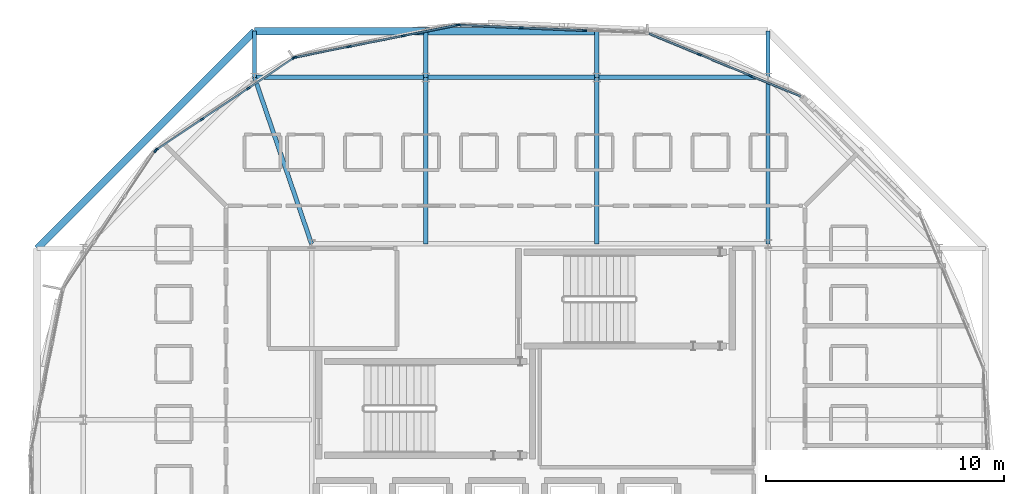
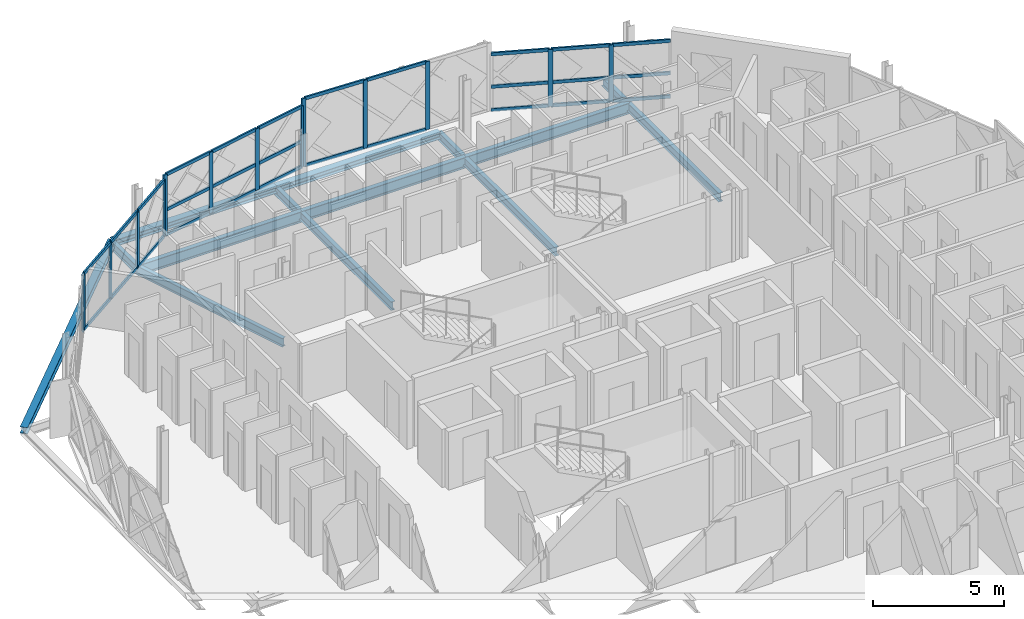
# One storey, part 9 of 24: 42 members, 14 beams, 5 elements without a shape of their own.
"""IFC4 building model written with IfcOpenShell, lengths in metres."""

from ifc_helpers import new_model, si_unit, direction, frame, origin, origin_2d, place, context, subcontext, project, spatial, rectangle, i_section, extrude, material, layer, layer_set, material_profile, profile_set, type_object, element, aggregate, save


model = new_model("IFC4")

# Units and contexts
model_context = context("Model", 3, precision=1e-05, world=origin(), true_north=direction((0.0, 1.0)))
body_context = subcontext(model_context, "Body", "Model", "MODEL_VIEW")
ifc_project = project(units=[si_unit("LENGTHUNIT", "METRE"), si_unit("AREAUNIT", "SQUARE_METRE"), si_unit("VOLUMEUNIT", "CUBIC_METRE"), si_unit("PLANEANGLEUNIT", "RADIAN"), si_unit("MASSUNIT", "GRAM", prefix="KILO")], contexts=[model_context])

# Site, building, storey
site_placement = place(None, origin())
site = spatial("IfcSite", under=ifc_project, at=site_placement, CompositionType="ELEMENT")
building_placement = place(site_placement, origin())
building = spatial("IfcBuilding", under=site, at=building_placement, Name="Zevrakil Square Congress Hotel", CompositionType="ELEMENT")
storey_placement = place(building_placement, frame((0.0, 0.0, 35.10009765625)))
storey = spatial("IfcBuildingStorey", under=building, at=storey_placement, Name="L10", CompositionType="ELEMENT", Elevation=35.10009765625)

# Beams
ifc_material_1 = material(Name="Steel S355", Category="steel")
ifc_material_profile_1 = material_profile(ifc_material_1, i_section(OverallWidth=0.199951171875, OverallDepth=0.5, WebThickness=0.01025390625, FlangeThickness=0.01611328125, FilletRadius=0.02099609375, at=origin_2d()), Name="IPE 500")
ifc_profile_set_1 = profile_set([ifc_material_profile_1], Name="Steel S355")
beam_type_1 = type_object("IfcBeamType", Name="BM-IPE500", PredefinedType="BEAM", material=ifc_profile_set_1)
for number, where, z_axis, x_axis, name in (
    (1, (156.0, 45.60009765625, -0.47998046875), (-1.0, 0.0, 0.0), (0.0, -1.0, 0.0), "L10 drum ring girder DRB-09"),
    (2, (148.800048828125, 45.60009765625, -0.47998046875), (-1.0, 0.0, 0.0), (0.0, -1.0, 0.0), "L10 drum ring girder DRB-10"),
):
    element("IfcBeam", number, at=place(storey_placement, frame(where, z_axis=z_axis, x_axis=x_axis)), inside=storey, type_object=beam_type_1, Name=name, PredefinedType="BEAM", context=body_context, shape_type="SweptSolid", body=[
        extrude(i_section(OverallWidth=0.199951171875, OverallDepth=0.5, WebThickness=0.01025390625, FlangeThickness=0.01611328125, FilletRadius=0.02099609375, at=origin_2d()), origin(), (0.0, 0.0, 1.0), 7.199951171875),
    ])
beam_1_placement = place(storey_placement, frame((141.60009765625, 45.60009765625, -0.47998046875), z_axis=(-1.0, 0.0, 0.0), x_axis=(0.0, -1.0, 0.0)))
element("IfcBeam", 3, at=beam_1_placement, inside=storey, type_object=beam_type_1, Name="L10 drum ring girder DRB-11", PredefinedType="BEAM", context=body_context, shape_type="SweptSolid", body=[
    extrude(i_section(OverallWidth=0.199951171875, OverallDepth=0.5, WebThickness=0.01025390625, FlangeThickness=0.01611328125, FilletRadius=0.02099609375, at=origin_2d()), origin(), (0.0, 0.0, 1.0), 7.2001953125),
])

# Curtain wall, members
ifc_material_2 = material(Name="Aluminium Anodised Bronze", Category="aluminium")
ifc_layer_1 = layer(ifc_material_2, 0.179931640625)
ifc_layer_set_1 = layer_set([ifc_layer_1], Name="Aluminium Anodised Bronze")
curtain_wall_type_1 = type_object("IfcCurtainWallType", Name="CW-L10-720", PredefinedType="USERDEFINED", material=ifc_layer_set_1)
curtain_wall_1_placement = place(storey_placement, origin())
curtain_wall_1 = element("IfcCurtainWall", 4, at=curtain_wall_1_placement, inside=storey, type_object=curtain_wall_type_1, Name="L10 diamond curtain wall CW-L10-0276", ObjectType="GLAZED CURTAIN WALL", PredefinedType="USERDEFINED")
ifc_material_3 = material(Name="Aluminium Anodised Bronze", Category="aluminium")
ifc_material_profile_2 = material_profile(ifc_material_3, rectangle(XDim=0.074951171875, YDim=0.14990234375, at=origin_2d()), Name="ALU 75x150")
ifc_profile_set_2 = profile_set([ifc_material_profile_2], Name="Aluminium Anodised Bronze")
member_type_1 = type_object("IfcMemberType", Name="CWM-ALU75x150", PredefinedType="USERDEFINED", material=ifc_profile_set_2)
member_1_placement = place(storey_placement, frame((157.366943359375, 44.799072265625, 0.02978515625), z_axis=(-0.923901544851, 0.382630285552, 0.0), x_axis=(-0.382630285552, -0.923901544851, 0.0)))
member_1 = element("IfcMember", 5, at=member_1_placement, type_object=member_type_1, Name="CW-118 transom 1.1", ObjectType="TRANSOM", PredefinedType="USERDEFINED", context=body_context, shape_type="SweptSolid", body=[
    extrude(rectangle(XDim=0.074951171875, YDim=0.14990234375, at=origin_2d()), origin(), (0.0, 0.0, 1.0), 2.245361328125),
])
member_2_placement = place(storey_placement, frame((157.366943359375, 44.799072265625, 1.11279296875), z_axis=(-0.923901544851, 0.382630285552, 0.0), x_axis=(-0.382630285552, -0.923901544851, 0.0)))
member_2 = element("IfcMember", 6, at=member_2_placement, type_object=member_type_1, Name="CW-118 transom 1.2", ObjectType="TRANSOM", PredefinedType="USERDEFINED", context=body_context, shape_type="SweptSolid", body=[
    extrude(rectangle(XDim=0.074951171875, YDim=0.14990234375, at=origin_2d()), origin(), (0.0, 0.0, 1.0), 2.245361328125),
])
member_3_placement = place(storey_placement, frame((157.366943359375, 44.799072265625, 2.619873046875), z_axis=(-0.923901544851, 0.382630285552, 0.0), x_axis=(-0.382630285552, -0.923901544851, 0.0)))
member_3 = element("IfcMember", 7, at=member_3_placement, type_object=member_type_1, Name="CW-118 transom 1.3", ObjectType="TRANSOM", PredefinedType="USERDEFINED", context=body_context, shape_type="SweptSolid", body=[
    extrude(rectangle(XDim=0.074951171875, YDim=0.14990234375, at=origin_2d()), origin(), (0.0, 0.0, 1.0), 2.245361328125),
])
member_4_placement = place(storey_placement, frame((155.237060546875, 45.68115234375, 0.02978515625), z_axis=(-0.923893901698, 0.382648740238, 0.0), x_axis=(-0.382648740238, -0.923893901698, 0.0)))
member_4 = element("IfcMember", 8, at=member_4_placement, type_object=member_type_1, Name="CW-118 transom 2.1", ObjectType="TRANSOM", PredefinedType="USERDEFINED", context=body_context, shape_type="SweptSolid", body=[
    extrude(rectangle(XDim=0.074951171875, YDim=0.14990234375, at=origin_2d()), origin(), (0.0, 0.0, 1.0), 2.275146484375),
])
member_5_placement = place(storey_placement, frame((155.237060546875, 45.68115234375, 1.11279296875), z_axis=(-0.923893901698, 0.382648740238, 0.0), x_axis=(-0.382648740238, -0.923893901698, 0.0)))
member_5 = element("IfcMember", 9, at=member_5_placement, type_object=member_type_1, Name="CW-118 transom 2.2", ObjectType="TRANSOM", PredefinedType="USERDEFINED", context=body_context, shape_type="SweptSolid", body=[
    extrude(rectangle(XDim=0.074951171875, YDim=0.14990234375, at=origin_2d()), origin(), (0.0, 0.0, 1.0), 2.275146484375),
])
member_6_placement = place(storey_placement, frame((155.237060546875, 45.68115234375, 2.619873046875), z_axis=(-0.923893901698, 0.382648740238, 0.0), x_axis=(-0.382648740238, -0.923893901698, 0.0)))
member_6 = element("IfcMember", 10, at=member_6_placement, type_object=member_type_1, Name="CW-118 transom 2.3", ObjectType="TRANSOM", PredefinedType="USERDEFINED", context=body_context, shape_type="SweptSolid", body=[
    extrude(rectangle(XDim=0.074951171875, YDim=0.14990234375, at=origin_2d()), origin(), (0.0, 0.0, 1.0), 2.275146484375),
])
member_7_placement = place(storey_placement, frame((153.07958984375, 46.57470703125, 0.02978515625), z_axis=(-0.923863103406, 0.382723093326, 0.0), x_axis=(-0.382723093326, -0.923863103406, 0.0)))
member_7 = element("IfcMember", 11, at=member_7_placement, type_object=member_type_1, Name="CW-118 transom 3.1", ObjectType="TRANSOM", PredefinedType="USERDEFINED", context=body_context, shape_type="SweptSolid", body=[
    extrude(rectangle(XDim=0.074951171875, YDim=0.14990234375, at=origin_2d()), origin(), (0.0, 0.0, 1.0), 2.245361328125),
])
member_8_placement = place(storey_placement, frame((153.07958984375, 46.57470703125, 1.11279296875), z_axis=(-0.923863103406, 0.382723093326, 0.0), x_axis=(-0.382723093326, -0.923863103406, 0.0)))
member_8 = element("IfcMember", 12, at=member_8_placement, type_object=member_type_1, Name="CW-118 transom 3.2", ObjectType="TRANSOM", PredefinedType="USERDEFINED", context=body_context, shape_type="SweptSolid", body=[
    extrude(rectangle(XDim=0.074951171875, YDim=0.14990234375, at=origin_2d()), origin(), (0.0, 0.0, 1.0), 2.245361328125),
])
member_9_placement = place(storey_placement, frame((153.07958984375, 46.57470703125, 2.619873046875), z_axis=(-0.923863103406, 0.382723093326, 0.0), x_axis=(-0.382723093326, -0.923863103406, 0.0)))
member_9 = element("IfcMember", 13, at=member_9_placement, type_object=member_type_1, Name="CW-118 transom 3.3", ObjectType="TRANSOM", PredefinedType="USERDEFINED", context=body_context, shape_type="SweptSolid", body=[
    extrude(rectangle(XDim=0.074951171875, YDim=0.14990234375, at=origin_2d()), origin(), (0.0, 0.0, 1.0), 2.245361328125),
])

ifc_material_4 = material(Name="Aluminium Anodised Bronze", Category="aluminium")
ifc_layer_2 = layer(ifc_material_4, 0.179931640625)
ifc_layer_set_2 = layer_set([ifc_layer_2], Name="Aluminium Anodised Bronze")
curtain_wall_type_2 = type_object("IfcCurtainWallType", Name="CW-L10-840", PredefinedType="USERDEFINED", material=ifc_layer_set_2)
curtain_wall_2_placement = place(storey_placement, origin())
curtain_wall_2 = element("IfcCurtainWall", 14, at=curtain_wall_2_placement, inside=storey, type_object=curtain_wall_type_2, Name="L10 diamond curtain wall CW-L10-0277", ObjectType="GLAZED CURTAIN WALL", PredefinedType="USERDEFINED")
member_10_placement = place(storey_placement, frame((148.254150390625, 47.5732421875, 0.02978515625), z_axis=(-0.999068306752, 0.04315690493, 0.0), x_axis=(-0.04315690493, -0.999068306752, 0.0)))
member_10 = element("IfcMember", 15, at=member_10_placement, type_object=member_type_1, Name="CW-119 transom 2.1", ObjectType="TRANSOM", PredefinedType="USERDEFINED", context=body_context, shape_type="SweptSolid", body=[
    extrude(rectangle(XDim=0.074951171875, YDim=0.14990234375, at=origin_2d()), origin(), (0.0, 0.0, 1.0), 2.60791015625),
])
member_11_placement = place(storey_placement, frame((148.254150390625, 47.5732421875, 3.135009765625), z_axis=(-0.999068306752, 0.04315690493, 0.0), x_axis=(-0.04315690493, -0.999068306752, 0.0)))
member_11 = element("IfcMember", 16, at=member_11_placement, type_object=member_type_1, Name="CW-119 transom 2.2", ObjectType="TRANSOM", PredefinedType="USERDEFINED", context=body_context, shape_type="SweptSolid", body=[
    extrude(rectangle(XDim=0.074951171875, YDim=0.14990234375, at=origin_2d()), origin(), (0.0, 0.0, 1.0), 2.60791015625),
])
member_12_placement = place(storey_placement, frame((145.588623046875, 47.688232421875, 0.02978515625), z_axis=(-0.999071284815, 0.043087908492, 0.0), x_axis=(-0.043087908492, -0.999071284815, 0.0)))
member_12 = element("IfcMember", 17, at=member_12_placement, type_object=member_type_1, Name="CW-119 transom 3.1", ObjectType="TRANSOM", PredefinedType="USERDEFINED", context=body_context, shape_type="SweptSolid", body=[
    extrude(rectangle(XDim=0.074951171875, YDim=0.14990234375, at=origin_2d()), origin(), (0.0, 0.0, 1.0), 2.578125),
])
member_13_placement = place(storey_placement, frame((145.588623046875, 47.688232421875, 3.135009765625), z_axis=(-0.999071284815, 0.043087908492, 0.0), x_axis=(-0.043087908492, -0.999071284815, 0.0)))
member_13 = element("IfcMember", 18, at=member_13_placement, type_object=member_type_1, Name="CW-119 transom 3.2", ObjectType="TRANSOM", PredefinedType="USERDEFINED", context=body_context, shape_type="SweptSolid", body=[
    extrude(rectangle(XDim=0.074951171875, YDim=0.14990234375, at=origin_2d()), origin(), (0.0, 0.0, 1.0), 2.578125),
])

curtain_wall_3_placement = place(storey_placement, origin())
curtain_wall_3 = element("IfcCurtainWall", 19, at=curtain_wall_3_placement, inside=storey, type_object=curtain_wall_type_1, Name="L10 diamond curtain wall CW-L10-0278", ObjectType="GLAZED CURTAIN WALL", PredefinedType="USERDEFINED")
member_14_placement = place(storey_placement, frame((142.89404296875, 47.790283203125, 0.02978515625), z_axis=(-0.980785085671, -0.195091300997, 0.0), x_axis=(0.195091300997, -0.980785085671, 0.0)))
member_14 = element("IfcMember", 20, at=member_14_placement, type_object=member_type_1, Name="CW-118 transom 1.1", ObjectType="TRANSOM", PredefinedType="USERDEFINED", context=body_context, shape_type="SweptSolid", body=[
    extrude(rectangle(XDim=0.074951171875, YDim=0.14990234375, at=origin_2d()), origin(), (0.0, 0.0, 1.0), 2.2451171875),
])
member_15_placement = place(storey_placement, frame((142.89404296875, 47.790283203125, 1.197021484375), z_axis=(-0.980785085671, -0.195091300997, 0.0), x_axis=(0.195091300997, -0.980785085671, 0.0)))
member_15 = element("IfcMember", 21, at=member_15_placement, type_object=member_type_1, Name="CW-118 transom 1.2", ObjectType="TRANSOM", PredefinedType="USERDEFINED", context=body_context, shape_type="SweptSolid", body=[
    extrude(rectangle(XDim=0.074951171875, YDim=0.14990234375, at=origin_2d()), origin(), (0.0, 0.0, 1.0), 2.2451171875),
])
member_16_placement = place(storey_placement, frame((142.89404296875, 47.790283203125, 2.81982421875), z_axis=(-0.980785085671, -0.195091300997, 0.0), x_axis=(0.195091300997, -0.980785085671, 0.0)))
member_16 = element("IfcMember", 22, at=member_16_placement, type_object=member_type_1, Name="CW-118 transom 1.3", ObjectType="TRANSOM", PredefinedType="USERDEFINED", context=body_context, shape_type="SweptSolid", body=[
    extrude(rectangle(XDim=0.074951171875, YDim=0.14990234375, at=origin_2d()), origin(), (0.0, 0.0, 1.0), 2.2451171875),
])
member_17_placement = place(storey_placement, frame((140.63330078125, 47.340576171875, 0.02978515625), z_axis=(-0.9807905758, -0.19506369837, 0.0), x_axis=(0.19506369837, -0.9807905758, 0.0)))
member_17 = element("IfcMember", 23, at=member_17_placement, type_object=member_type_1, Name="CW-118 transom 2.1", ObjectType="TRANSOM", PredefinedType="USERDEFINED", context=body_context, shape_type="SweptSolid", body=[
    extrude(rectangle(XDim=0.074951171875, YDim=0.14990234375, at=origin_2d()), origin(), (0.0, 0.0, 1.0), 2.275390625),
])
member_18_placement = place(storey_placement, frame((140.63330078125, 47.340576171875, 1.197021484375), z_axis=(-0.9807905758, -0.19506369837, 0.0), x_axis=(0.19506369837, -0.9807905758, 0.0)))
member_18 = element("IfcMember", 24, at=member_18_placement, type_object=member_type_1, Name="CW-118 transom 2.2", ObjectType="TRANSOM", PredefinedType="USERDEFINED", context=body_context, shape_type="SweptSolid", body=[
    extrude(rectangle(XDim=0.074951171875, YDim=0.14990234375, at=origin_2d()), origin(), (0.0, 0.0, 1.0), 2.275390625),
])
member_19_placement = place(storey_placement, frame((140.63330078125, 47.340576171875, 2.81982421875), z_axis=(-0.9807905758, -0.19506369837, 0.0), x_axis=(0.19506369837, -0.9807905758, 0.0)))
member_19 = element("IfcMember", 25, at=member_19_placement, type_object=member_type_1, Name="CW-118 transom 2.3", ObjectType="TRANSOM", PredefinedType="USERDEFINED", context=body_context, shape_type="SweptSolid", body=[
    extrude(rectangle(XDim=0.074951171875, YDim=0.14990234375, at=origin_2d()), origin(), (0.0, 0.0, 1.0), 2.275390625),
])
member_20_placement = place(storey_placement, frame((138.3427734375, 46.885009765625, 0.02978515625), z_axis=(-0.980785085671, -0.195091300997, 0.0), x_axis=(0.195091300997, -0.980785085671, 0.0)))
member_20 = element("IfcMember", 26, at=member_20_placement, type_object=member_type_1, Name="CW-118 transom 3.1", ObjectType="TRANSOM", PredefinedType="USERDEFINED", context=body_context, shape_type="SweptSolid", body=[
    extrude(rectangle(XDim=0.074951171875, YDim=0.14990234375, at=origin_2d()), origin(), (0.0, 0.0, 1.0), 2.2451171875),
])
member_21_placement = place(storey_placement, frame((138.3427734375, 46.885009765625, 1.197021484375), z_axis=(-0.980785085671, -0.195091300997, 0.0), x_axis=(0.195091300997, -0.980785085671, 0.0)))
member_21 = element("IfcMember", 27, at=member_21_placement, type_object=member_type_1, Name="CW-118 transom 3.2", ObjectType="TRANSOM", PredefinedType="USERDEFINED", context=body_context, shape_type="SweptSolid", body=[
    extrude(rectangle(XDim=0.074951171875, YDim=0.14990234375, at=origin_2d()), origin(), (0.0, 0.0, 1.0), 2.2451171875),
])
member_22_placement = place(storey_placement, frame((138.3427734375, 46.885009765625, 2.81982421875), z_axis=(-0.980785085671, -0.195091300997, 0.0), x_axis=(0.195091300997, -0.980785085671, 0.0)))
member_22 = element("IfcMember", 28, at=member_22_placement, type_object=member_type_1, Name="CW-118 transom 3.3", ObjectType="TRANSOM", PredefinedType="USERDEFINED", context=body_context, shape_type="SweptSolid", body=[
    extrude(rectangle(XDim=0.074951171875, YDim=0.14990234375, at=origin_2d()), origin(), (0.0, 0.0, 1.0), 2.2451171875),
])

curtain_wall_4_placement = place(storey_placement, origin())
curtain_wall_4 = element("IfcCurtainWall", 29, at=curtain_wall_4_placement, inside=storey, type_object=curtain_wall_type_1, Name="L10 diamond curtain wall CW-L10-0279", ObjectType="GLAZED CURTAIN WALL", PredefinedType="USERDEFINED")
member_23_placement = place(storey_placement, frame((136.031982421875, 46.40185546875, 0.02978515625), z_axis=(-0.831464280743, -0.555578212179, 0.0), x_axis=(0.555578212179, -0.831464280743, 0.0)))
member_23 = element("IfcMember", 30, at=member_23_placement, type_object=member_type_1, Name="CW-118 transom 1.1", ObjectType="TRANSOM", PredefinedType="USERDEFINED", context=body_context, shape_type="SweptSolid", body=[
    extrude(rectangle(XDim=0.074951171875, YDim=0.14990234375, at=origin_2d()), origin(), (0.0, 0.0, 1.0), 2.2451171875),
])
member_24_placement = place(storey_placement, frame((136.031982421875, 46.40185546875, 2.619873046875), z_axis=(-0.831464280743, -0.555578212179, 0.0), x_axis=(0.555578212179, -0.831464280743, 0.0)))
member_24 = element("IfcMember", 31, at=member_24_placement, type_object=member_type_1, Name="CW-118 transom 1.2", ObjectType="TRANSOM", PredefinedType="USERDEFINED", context=body_context, shape_type="SweptSolid", body=[
    extrude(rectangle(XDim=0.074951171875, YDim=0.14990234375, at=origin_2d()), origin(), (0.0, 0.0, 1.0), 2.2451171875),
])
member_25_placement = place(storey_placement, frame((134.115234375, 45.121337890625, 0.02978515625), z_axis=(-0.831455548606, -0.555591280253, 0.0), x_axis=(0.555591280253, -0.831455548606, 0.0)))
member_25 = element("IfcMember", 32, at=member_25_placement, type_object=member_type_1, Name="CW-118 transom 2.1", ObjectType="TRANSOM", PredefinedType="USERDEFINED", context=body_context, shape_type="SweptSolid", body=[
    extrude(rectangle(XDim=0.074951171875, YDim=0.14990234375, at=origin_2d()), origin(), (0.0, 0.0, 1.0), 2.275390625),
])
member_26_placement = place(storey_placement, frame((134.115234375, 45.121337890625, 2.619873046875), z_axis=(-0.831455548606, -0.555591280253, 0.0), x_axis=(0.555591280253, -0.831455548606, 0.0)))
member_26 = element("IfcMember", 33, at=member_26_placement, type_object=member_type_1, Name="CW-118 transom 2.2", ObjectType="TRANSOM", PredefinedType="USERDEFINED", context=body_context, shape_type="SweptSolid", body=[
    extrude(rectangle(XDim=0.074951171875, YDim=0.14990234375, at=origin_2d()), origin(), (0.0, 0.0, 1.0), 2.275390625),
])
member_27_placement = place(storey_placement, frame((132.173583984375, 43.82373046875, 0.02978515625), z_axis=(-0.831464280743, -0.555578212179, 0.0), x_axis=(0.555578212179, -0.831464280743, 0.0)))
member_27 = element("IfcMember", 34, at=member_27_placement, type_object=member_type_1, Name="CW-118 transom 3.1", ObjectType="TRANSOM", PredefinedType="USERDEFINED", context=body_context, shape_type="SweptSolid", body=[
    extrude(rectangle(XDim=0.074951171875, YDim=0.14990234375, at=origin_2d()), origin(), (0.0, 0.0, 1.0), 2.2451171875),
])
member_28_placement = place(storey_placement, frame((132.173583984375, 43.82373046875, 2.619873046875), z_axis=(-0.831464280743, -0.555578212179, 0.0), x_axis=(0.555578212179, -0.831464280743, 0.0)))
member_28 = element("IfcMember", 35, at=member_28_placement, type_object=member_type_1, Name="CW-118 transom 3.2", ObjectType="TRANSOM", PredefinedType="USERDEFINED", context=body_context, shape_type="SweptSolid", body=[
    extrude(rectangle(XDim=0.074951171875, YDim=0.14990234375, at=origin_2d()), origin(), (0.0, 0.0, 1.0), 2.2451171875),
])

# Member
ifc_material_5 = material(Name="Aluminium Anodised Bronze", Category="aluminium")
ifc_material_profile_3 = material_profile(ifc_material_5, rectangle(XDim=0.074951171875, YDim=0.179931640625, at=origin_2d()), Name="ALU 75x180")
ifc_profile_set_3 = profile_set([ifc_material_profile_3], Name="Aluminium Anodised Bronze")
member_type_2 = type_object("IfcMemberType", Name="CWM-ALU75x180", PredefinedType="MULLION", material=ifc_profile_set_3)
member_29_placement = place(storey_placement, frame((155.264892578125, 45.669677734375, 0.0), z_axis=(0.0, 0.0, 1.0), x_axis=(-0.382683763454, -0.92387939537, 0.0)))
member_29 = element("IfcMember", 36, at=member_29_placement, type_object=member_type_2, Name="CW-118 mullion 2", PredefinedType="MULLION", context=body_context, shape_type="SweptSolid", body=[
    extrude(rectangle(XDim=0.074951171875, YDim=0.179931640625, at=origin_2d()), origin(), (0.0, 0.0, 1.0), 2.64990234375),
])

member_30_placement = place(storey_placement, frame((153.107421875, 46.563232421875, 0.0), z_axis=(0.0, 0.0, 1.0), x_axis=(-0.382683763454, -0.92387939537, 0.0)))
member_30 = element("IfcMember", 37, at=member_30_placement, type_object=member_type_2, Name="CW-118 mullion 3", PredefinedType="MULLION", context=body_context, shape_type="SweptSolid", body=[
    extrude(rectangle(XDim=0.074951171875, YDim=0.179931640625, at=origin_2d()), origin(), (0.0, 0.0, 1.0), 2.64990234375),
])

aggregate(curtain_wall_1, [member_29, member_30, member_1, member_2, member_3, member_4, member_5, member_6, member_7, member_8, member_9])

member_31_placement = place(storey_placement, frame((148.2841796875, 47.572021484375, 0.0), z_axis=(0.0, 0.0, 1.0), x_axis=(-0.043102163504, -0.999070669923, 0.0)))
member_31 = element("IfcMember", 38, at=member_31_placement, type_object=member_type_2, Name="CW-119 mullion 2", PredefinedType="MULLION", context=body_context, shape_type="SweptSolid", body=[
    extrude(rectangle(XDim=0.074951171875, YDim=0.179931640625, at=origin_2d()), origin(), (0.0, 0.0, 1.0), 3.164794921875),
])

member_32_placement = place(storey_placement, frame((145.61865234375, 47.68701171875, 0.0), z_axis=(0.0, 0.0, 1.0), x_axis=(-0.043102163504, -0.999070669923, 0.0)))
member_32 = element("IfcMember", 39, at=member_32_placement, type_object=member_type_2, Name="CW-119 mullion 3", PredefinedType="MULLION", context=body_context, shape_type="SweptSolid", body=[
    extrude(rectangle(XDim=0.074951171875, YDim=0.179931640625, at=origin_2d()), origin(), (0.0, 0.0, 1.0), 3.164794921875),
])

member_33_placement = place(storey_placement, frame((142.98291015625, 47.80078125, 0.0), z_axis=(0.0, 0.0, 1.0), x_axis=(-0.043102163504, -0.999070669923, 0.0)))
member_33 = element("IfcMember", 40, at=member_33_placement, type_object=member_type_2, Name="CW-119 mullion 4", PredefinedType="MULLION", context=body_context, shape_type="SweptSolid", body=[
    extrude(rectangle(XDim=0.074951171875, YDim=0.179931640625, at=origin_2d()), origin(), (0.0, 0.0, 1.0), 3.164794921875),
])

aggregate(curtain_wall_2, [member_31, member_32, member_33, member_10, member_11, member_12, member_13])

member_34_placement = place(storey_placement, frame((142.923583984375, 47.796142578125, 0.0), z_axis=(0.0, 0.0, 1.0), x_axis=(0.195083900459, -0.980786557708, 0.0)))
member_34 = element("IfcMember", 41, at=member_34_placement, type_object=member_type_2, Name="CW-118 mullion 1", PredefinedType="MULLION", context=body_context, shape_type="SweptSolid", body=[
    extrude(rectangle(XDim=0.074951171875, YDim=0.179931640625, at=origin_2d()), origin(), (0.0, 0.0, 1.0), 2.849853515625),
])

member_35_placement = place(storey_placement, frame((140.66259765625, 47.346435546875, 0.0), z_axis=(0.0, 0.0, 1.0), x_axis=(0.195083900459, -0.980786557708, 0.0)))
member_35 = element("IfcMember", 42, at=member_35_placement, type_object=member_type_2, Name="CW-118 mullion 2", PredefinedType="MULLION", context=body_context, shape_type="SweptSolid", body=[
    extrude(rectangle(XDim=0.074951171875, YDim=0.179931640625, at=origin_2d()), origin(), (0.0, 0.0, 1.0), 2.849853515625),
])

member_36_placement = place(storey_placement, frame((138.372314453125, 46.890869140625, 0.0), z_axis=(0.0, 0.0, 1.0), x_axis=(0.195083900459, -0.980786557708, 0.0)))
member_36 = element("IfcMember", 43, at=member_36_placement, type_object=member_type_2, Name="CW-118 mullion 3", PredefinedType="MULLION", context=body_context, shape_type="SweptSolid", body=[
    extrude(rectangle(XDim=0.074951171875, YDim=0.179931640625, at=origin_2d()), origin(), (0.0, 0.0, 1.0), 2.849853515625),
])

member_37_placement = place(storey_placement, frame((136.111328125, 46.441162109375, 0.0), z_axis=(0.0, 0.0, 1.0), x_axis=(0.195083900459, -0.980786557708, 0.0)))
member_37 = element("IfcMember", 44, at=member_37_placement, type_object=member_type_2, Name="CW-118 mullion 4", PredefinedType="MULLION", context=body_context, shape_type="SweptSolid", body=[
    extrude(rectangle(XDim=0.074951171875, YDim=0.179931640625, at=origin_2d()), origin(), (0.0, 0.0, 1.0), 2.849853515625),
])

aggregate(curtain_wall_3, [member_34, member_35, member_36, member_37, member_14, member_15, member_16, member_17, member_18, member_19, member_20, member_21, member_22])

member_38_placement = place(storey_placement, frame((136.056884765625, 46.418701171875, 0.0), z_axis=(0.0, 0.0, 1.0), x_axis=(0.555576098128, -0.831465693332, 0.0)))
member_38 = element("IfcMember", 45, at=member_38_placement, type_object=member_type_2, Name="CW-118 mullion 1", PredefinedType="MULLION", context=body_context, shape_type="SweptSolid", body=[
    extrude(rectangle(XDim=0.074951171875, YDim=0.179931640625, at=origin_2d()), origin(), (0.0, 0.0, 1.0), 2.64990234375),
])

member_39_placement = place(storey_placement, frame((134.14013671875, 45.137939453125, 0.0), z_axis=(0.0, 0.0, 1.0), x_axis=(0.555576098128, -0.831465693332, 0.0)))
member_39 = element("IfcMember", 46, at=member_39_placement, type_object=member_type_2, Name="CW-118 mullion 2", PredefinedType="MULLION", context=body_context, shape_type="SweptSolid", body=[
    extrude(rectangle(XDim=0.074951171875, YDim=0.179931640625, at=origin_2d()), origin(), (0.0, 0.0, 1.0), 2.64990234375),
])

member_40_placement = place(storey_placement, frame((132.198486328125, 43.840576171875, 0.0), z_axis=(0.0, 0.0, 1.0), x_axis=(0.555576098128, -0.831465693332, 0.0)))
member_40 = element("IfcMember", 47, at=member_40_placement, type_object=member_type_2, Name="CW-118 mullion 3", PredefinedType="MULLION", context=body_context, shape_type="SweptSolid", body=[
    extrude(rectangle(XDim=0.074951171875, YDim=0.179931640625, at=origin_2d()), origin(), (0.0, 0.0, 1.0), 2.64990234375),
])

member_41_placement = place(storey_placement, frame((130.28173828125, 42.559814453125, 0.0), z_axis=(0.0, 0.0, 1.0), x_axis=(0.555576098128, -0.831465693332, 0.0)))
member_41 = element("IfcMember", 48, at=member_41_placement, type_object=member_type_2, Name="CW-118 mullion 4", PredefinedType="MULLION", context=body_context, shape_type="SweptSolid", body=[
    extrude(rectangle(XDim=0.074951171875, YDim=0.179931640625, at=origin_2d()), origin(), (0.0, 0.0, 1.0), 2.64990234375),
])

aggregate(curtain_wall_4, [member_38, member_39, member_40, member_41, member_23, member_24, member_25, member_26, member_27, member_28])

# Curtain wall, member
curtain_wall_5_placement = place(storey_placement, origin())
curtain_wall_5 = element("IfcCurtainWall", 49, at=curtain_wall_5_placement, inside=storey, type_object=curtain_wall_type_1, Name="L10 diamond curtain wall CW-L10-0280", ObjectType="GLAZED CURTAIN WALL", PredefinedType="USERDEFINED")
member_42_placement = place(storey_placement, frame((130.240234375, 42.51806640625, 0.0), z_axis=(0.0, 0.0, 1.0), x_axis=(0.831465693332, -0.555576098128, 0.0)))
member_42 = element("IfcMember", 50, at=member_42_placement, type_object=member_type_2, Name="CW-118 mullion 1", PredefinedType="MULLION", context=body_context, shape_type="SweptSolid", body=[
    extrude(rectangle(XDim=0.074951171875, YDim=0.179931640625, at=origin_2d()), origin(), (0.0, 0.0, 1.0), 2.64990234375),
])
aggregate(curtain_wall_5, [member_42])

# Beams
ifc_material_6 = material(Name="Steel S355", Category="steel")
ifc_material_profile_4 = material_profile(ifc_material_6, i_section(OverallWidth=0.179931640625, OverallDepth=0.39990234375, WebThickness=0.008544921875, FlangeThickness=0.013427734375, FilletRadius=0.02099609375, at=origin_2d()), Name="IPE 400")
ifc_profile_set_4 = profile_set([ifc_material_profile_4], Name="Steel S355")
beam_type_2 = type_object("IfcBeamType", Name="JST-IPE400", PredefinedType="JOIST", material=ifc_profile_set_4)
beam_2_placement = place(storey_placement, frame((156.0, 38.60009765625, -0.43017578125), z_axis=(0.0, 1.0, 0.0), x_axis=(-1.0, 0.0, 0.0)))
element("IfcBeam", 51, at=beam_2_placement, inside=storey, type_object=beam_type_2, Name="L10 drum radial floor beam DRI-09", PredefinedType="JOIST", context=body_context, shape_type="SweptSolid", body=[
    extrude(i_section(OverallWidth=0.179931640625, OverallDepth=0.39990234375, WebThickness=0.008544921875, FlangeThickness=0.013427734375, FilletRadius=0.02099609375, at=origin_2d()), origin(), (0.0, 0.0, 1.0), 7.0),
])
beam_3_placement = place(storey_placement, frame((156.0, 45.60009765625, -0.43017578125), z_axis=(0.0, 1.0, 0.0), x_axis=(-1.0, 0.0, 0.0)))
element("IfcBeam", 52, at=beam_3_placement, inside=storey, type_object=beam_type_2, Name="L10 drum radial edge cantilever beam DRO-09", PredefinedType="JOIST", context=body_context, shape_type="SweptSolid", body=[
    extrude(i_section(OverallWidth=0.179931640625, OverallDepth=0.39990234375, WebThickness=0.008544921875, FlangeThickness=0.013427734375, FilletRadius=0.02099609375, at=origin_2d()), origin(), (0.0, 0.0, 1.0), 1.94189453125),
])
beam_4_placement = place(storey_placement, frame((148.800048828125, 38.60009765625, -0.43017578125), z_axis=(0.0, 1.0, 0.0), x_axis=(-1.0, 0.0, 0.0)))
element("IfcBeam", 53, at=beam_4_placement, inside=storey, type_object=beam_type_2, Name="L10 drum radial floor beam DRI-10", PredefinedType="JOIST", context=body_context, shape_type="SweptSolid", body=[
    extrude(i_section(OverallWidth=0.179931640625, OverallDepth=0.39990234375, WebThickness=0.008544921875, FlangeThickness=0.013427734375, FilletRadius=0.02099609375, at=origin_2d()), origin(), (0.0, 0.0, 1.0), 7.0),
])
beam_5_placement = place(storey_placement, frame((148.800048828125, 45.60009765625, -0.43017578125), z_axis=(0.0, 1.0, 0.0), x_axis=(-1.0, 0.0, 0.0)))
element("IfcBeam", 54, at=beam_5_placement, inside=storey, type_object=beam_type_2, Name="L10 drum radial edge cantilever beam DRO-10", PredefinedType="JOIST", context=body_context, shape_type="SweptSolid", body=[
    extrude(i_section(OverallWidth=0.179931640625, OverallDepth=0.39990234375, WebThickness=0.008544921875, FlangeThickness=0.013427734375, FilletRadius=0.02099609375, at=origin_2d()), origin(), (0.0, 0.0, 1.0), 1.94189453125),
])
beam_6_placement = place(storey_placement, frame((141.60009765625, 38.60009765625, -0.43017578125), z_axis=(0.0, 1.0, 0.0), x_axis=(-1.0, 0.0, 0.0)))
element("IfcBeam", 55, at=beam_6_placement, inside=storey, type_object=beam_type_2, Name="L10 drum radial floor beam DRI-11", PredefinedType="JOIST", context=body_context, shape_type="SweptSolid", body=[
    extrude(i_section(OverallWidth=0.179931640625, OverallDepth=0.39990234375, WebThickness=0.008544921875, FlangeThickness=0.013427734375, FilletRadius=0.02099609375, at=origin_2d()), origin(), (0.0, 0.0, 1.0), 7.0),
])
beam_7_placement = place(storey_placement, frame((141.60009765625, 45.60009765625, -0.43017578125), z_axis=(0.0, 1.0, 0.0), x_axis=(-1.0, 0.0, 0.0)))
element("IfcBeam", 56, at=beam_7_placement, inside=storey, type_object=beam_type_2, Name="L10 drum radial edge cantilever beam DRO-11", PredefinedType="JOIST", context=body_context, shape_type="SweptSolid", body=[
    extrude(i_section(OverallWidth=0.179931640625, OverallDepth=0.39990234375, WebThickness=0.008544921875, FlangeThickness=0.013427734375, FilletRadius=0.02099609375, at=origin_2d()), origin(), (0.0, 0.0, 1.0), 1.94189453125),
])
beam_8_placement = place(storey_placement, frame((136.800048828125, 38.60009765625, -0.43017578125), z_axis=(-0.324342037158, 0.945939872789, 0.0), x_axis=(-0.945939872789, -0.324342037158, 0.0)))
element("IfcBeam", 57, at=beam_8_placement, inside=storey, type_object=beam_type_2, Name="L10 drum radial floor beam DRI-12", PredefinedType="JOIST", context=body_context, shape_type="SweptSolid", body=[
    extrude(i_section(OverallWidth=0.179931640625, OverallDepth=0.39990234375, WebThickness=0.008544921875, FlangeThickness=0.013427734375, FilletRadius=0.02099609375, at=origin_2d()), origin(), (0.0, 0.0, 1.0), 7.400146484375),
])
beam_9_placement = place(storey_placement, frame((134.39990234375, 45.60009765625, -0.43017578125), z_axis=(0.0, 1.0, 0.0), x_axis=(-1.0, 0.0, 0.0)))
element("IfcBeam", 58, at=beam_9_placement, inside=storey, type_object=beam_type_2, Name="L10 drum radial edge cantilever beam DRO-12", PredefinedType="JOIST", context=body_context, shape_type="SweptSolid", body=[
    extrude(i_section(OverallWidth=0.179931640625, OverallDepth=0.39990234375, WebThickness=0.008544921875, FlangeThickness=0.013427734375, FilletRadius=0.02099609375, at=origin_2d()), origin(), (0.0, 0.0, 1.0), 1.94189453125),
])
ifc_material_7 = material(Name="Steel S355", Category="steel")
ifc_material_profile_5 = material_profile(ifc_material_7, i_section(OverallWidth=0.300048828125, OverallDepth=0.300048828125, WebThickness=0.010986328125, FlangeThickness=0.01904296875, FilletRadius=0.027099609375, at=origin_2d()), Name="HEB 300")
ifc_profile_set_5 = profile_set([ifc_material_profile_5], Name="Steel S355")
beam_type_3 = type_object("IfcBeamType", Name="SPD-RHS250", PredefinedType="SPANDREL", material=ifc_profile_set_5)
beam_10_placement = place(storey_placement, frame((148.800048828125, 47.5419921875, -0.380126953125), z_axis=(-1.0, 0.0, 0.0), x_axis=(0.0, -1.0, 0.0)))
element("IfcBeam", 59, at=beam_10_placement, inside=storey, type_object=beam_type_3, Name="L10 drum edge spandrel beam DSP-09", PredefinedType="SPANDREL", context=body_context, shape_type="SweptSolid", body=[
    extrude(i_section(OverallWidth=0.300048828125, OverallDepth=0.300048828125, WebThickness=0.010986328125, FlangeThickness=0.01904296875, FilletRadius=0.027099609375, at=origin_2d()), origin(), (0.0, 0.0, 1.0), 7.199951171875),
])
beam_11_placement = place(storey_placement, frame((141.60009765625, 47.5419921875, -0.380126953125), z_axis=(-1.0, 0.0, 0.0), x_axis=(0.0, -1.0, 0.0)))
element("IfcBeam", 60, at=beam_11_placement, inside=storey, type_object=beam_type_3, Name="L10 drum edge spandrel beam DSP-10", PredefinedType="SPANDREL", context=body_context, shape_type="SweptSolid", body=[
    extrude(i_section(OverallWidth=0.300048828125, OverallDepth=0.300048828125, WebThickness=0.010986328125, FlangeThickness=0.01904296875, FilletRadius=0.027099609375, at=origin_2d()), origin(), (0.0, 0.0, 1.0), 7.2001953125),
])
beam_12_placement = place(storey_placement, frame((134.39990234375, 47.5419921875, -0.380126953125), z_axis=(-0.707097339311, -0.707116222936, 0.0), x_axis=(0.707116222936, -0.707097339311, 0.0)))
element("IfcBeam", 61, at=beam_12_placement, inside=storey, type_object=beam_type_3, Name="L10 drum edge spandrel beam DSP-11", PredefinedType="SPANDREL", context=body_context, shape_type="SweptSolid", body=[
    extrude(i_section(OverallWidth=0.300048828125, OverallDepth=0.300048828125, WebThickness=0.010986328125, FlangeThickness=0.01904296875, FilletRadius=0.027099609375, at=origin_2d()), origin(), (0.0, 0.0, 1.0), 12.9287109375),
])

save(model, "model.ifc")
